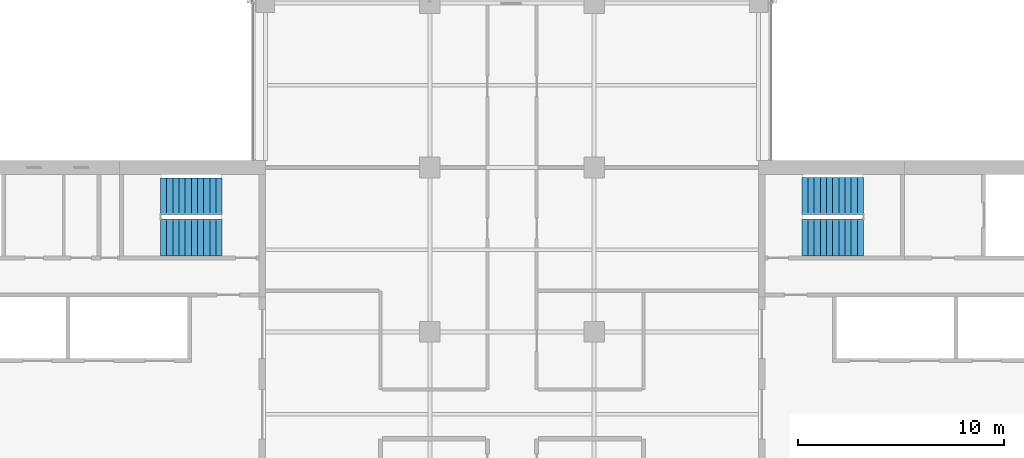
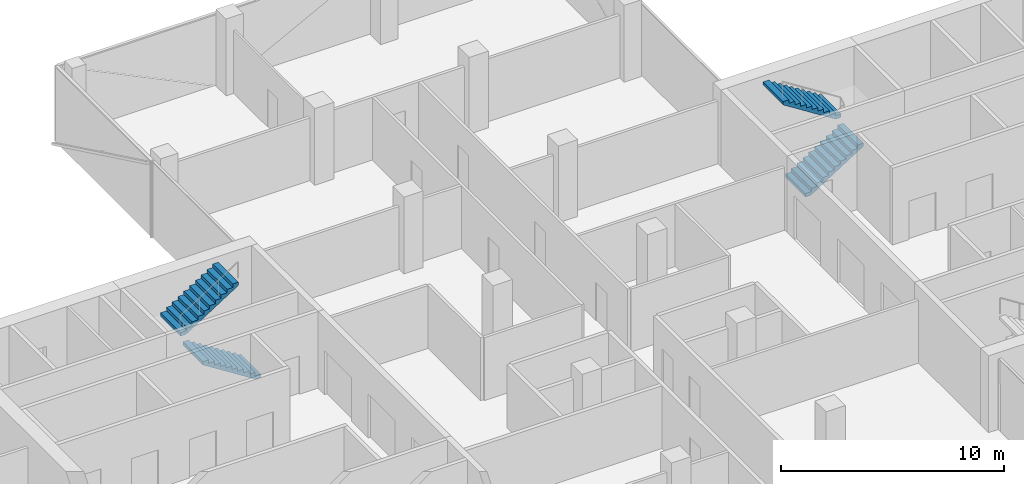
# One storey, part 17 of 22: 4 stair flights, 2 elements without a shape of their own.
"""IFC4 building model written with IfcOpenShell, lengths in metres."""

from ifc_helpers import new_model, si_unit, direction, frame, origin, place, context, subcontext, project, spatial, polyline, outline, extrude, material, type_object, element, aggregate, save


model = new_model("IFC4")

# Units and contexts
model_context = context("Model", 3, precision=1e-05, world=origin(), true_north=direction((0.0, 1.0)))
body_context = subcontext(model_context, "Body", "Model", "MODEL_VIEW")
ifc_project = project(units=[si_unit("LENGTHUNIT", "METRE"), si_unit("AREAUNIT", "SQUARE_METRE"), si_unit("VOLUMEUNIT", "CUBIC_METRE"), si_unit("PLANEANGLEUNIT", "RADIAN"), si_unit("MASSUNIT", "GRAM", prefix="KILO")], contexts=[model_context])

# Site, building, storey
site_placement = place(None, origin())
site = spatial("IfcSite", under=ifc_project, at=site_placement, CompositionType="ELEMENT")
building_placement = place(site_placement, origin())
building = spatial("IfcBuilding", under=site, at=building_placement, Name="Crosswind Convention Tower", CompositionType="ELEMENT")
storey_placement = place(building_placement, frame((0.0, 0.0, 154.699951171875)))
storey = spatial("IfcBuildingStorey", under=building, at=storey_placement, Name="L32", CompositionType="ELEMENT", Elevation=154.699951171875)

# Stair, stair flights
ifc_material = material(Name="Concrete C40/50", Category="concrete")
stair_type = type_object("IfcStairType", Name="Exit stair 1800 wide, 2 flights of 11 risers", PredefinedType="HALF_TURN_STAIR", material=ifc_material)
stair_1_placement = place(storey_placement, origin())
stair_1 = element("IfcStair", 1, at=stair_1_placement, inside=storey, type_object=stair_type, Name="Exit stair ST1 L32", ObjectType="ST5", PredefinedType="HALF_TURN_STAIR")
stair_flight_type = type_object("IfcStairFlightType", Name="Stair flight 1800 wide, 11 risers (SF4)", PredefinedType="STRAIGHT", material=ifc_material)
stair_flight_1_placement = place(storey_placement, frame((139.10009765625, 108.60009765625, 0.0), z_axis=(0.0, 0.0, 1.0), x_axis=(1.0, 0.0, 0.0)))
stair_flight_1 = element("IfcStairFlight", 2, at=stair_flight_1_placement, type_object=stair_flight_type, Name="ST1 flight 1", NumberOfRisers=11, NumberOfTreads=10, PredefinedType="STRAIGHT", RiserHeight=0.190909091, TreadLength=0.3, context=body_context, shape_type="SweptSolid", body=[
    extrude(outline(polyline([(0.0, 0.0), (0.0, 0.19091796875), (0.300048828125, 0.19091796875), (0.300048828125, 0.3818359375), (0.60009765625, 0.3818359375), (0.60009765625, 0.57275390625), (0.89990234375, 0.57275390625), (0.89990234375, 0.763671875), (1.199951171875, 0.763671875), (1.199951171875, 0.95458984375), (1.5, 0.95458984375), (1.5, 1.1455078125), (1.800048828125, 1.1455078125), (1.800048828125, 1.33642578125), (2.10009765625, 1.33642578125), (2.10009765625, 1.52734375), (2.39990234375, 1.52734375), (2.39990234375, 1.71826171875), (2.699951171875, 1.71826171875), (2.699951171875, 1.9091796875), (3.0, 1.9091796875), (3.0, 2.10009765625), (3.0, 1.7314453125), (0.279296875, 0.0), (0.0, 0.0)])), frame((0.0, 0.89990234375, 0.0), z_axis=(0.0, -1.0, 0.0), x_axis=(1.0, 0.0, 0.0)), (0.0, 0.0, 1.0), 1.800048828125),
])
stair_flight_2_placement = place(storey_placement, frame((142.10009765625, 110.60009765625, 2.10009765625), z_axis=(0.0, 0.0, 1.0), x_axis=(-1.0, 0.0, 0.0)))
stair_flight_2 = element("IfcStairFlight", 3, at=stair_flight_2_placement, type_object=stair_flight_type, Name="ST1 flight 2", NumberOfRisers=11, NumberOfTreads=10, PredefinedType="STRAIGHT", RiserHeight=0.190909091, TreadLength=0.3, context=body_context, shape_type="SweptSolid", body=[
    extrude(outline(polyline([(0.0, 0.0), (0.0, 0.19091796875), (0.300048828125, 0.19091796875), (0.300048828125, 0.3818359375), (0.60009765625, 0.3818359375), (0.60009765625, 0.57275390625), (0.89990234375, 0.57275390625), (0.89990234375, 0.763671875), (1.199951171875, 0.763671875), (1.199951171875, 0.95458984375), (1.5, 0.95458984375), (1.5, 1.1455078125), (1.800048828125, 1.1455078125), (1.800048828125, 1.33642578125), (2.10009765625, 1.33642578125), (2.10009765625, 1.52734375), (2.39990234375, 1.52734375), (2.39990234375, 1.71826171875), (2.699951171875, 1.71826171875), (2.699951171875, 1.9091796875), (3.0, 1.9091796875), (3.0, 2.10009765625), (3.0, 1.7314453125), (0.279296875, 0.0), (0.0, 0.0)])), frame((0.0, 0.89990234375, 0.0), z_axis=(0.0, -1.0, 0.0), x_axis=(1.0, 0.0, 0.0)), (0.0, 0.0, 1.0), 1.800048828125),
])
aggregate(stair_1, [stair_flight_1, stair_flight_2])

stair_2_placement = place(storey_placement, origin())
stair_2 = element("IfcStair", 4, at=stair_2_placement, inside=storey, type_object=stair_type, Name="Exit stair ST4 L32", ObjectType="ST5", PredefinedType="HALF_TURN_STAIR")
stair_flight_3_placement = place(storey_placement, frame((110.89990234375, 108.60009765625, 0.0), z_axis=(0.0, 0.0, 1.0), x_axis=(-1.0, 0.0, 0.0)))
stair_flight_3 = element("IfcStairFlight", 5, at=stair_flight_3_placement, type_object=stair_flight_type, Name="ST4 flight 1", NumberOfRisers=11, NumberOfTreads=10, PredefinedType="STRAIGHT", RiserHeight=0.190909091, TreadLength=0.3, context=body_context, shape_type="SweptSolid", body=[
    extrude(outline(polyline([(0.0, 0.0), (0.0, 0.19091796875), (0.300048828125, 0.19091796875), (0.300048828125, 0.3818359375), (0.60009765625, 0.3818359375), (0.60009765625, 0.57275390625), (0.89990234375, 0.57275390625), (0.89990234375, 0.763671875), (1.199951171875, 0.763671875), (1.199951171875, 0.95458984375), (1.5, 0.95458984375), (1.5, 1.1455078125), (1.800048828125, 1.1455078125), (1.800048828125, 1.33642578125), (2.10009765625, 1.33642578125), (2.10009765625, 1.52734375), (2.39990234375, 1.52734375), (2.39990234375, 1.71826171875), (2.699951171875, 1.71826171875), (2.699951171875, 1.9091796875), (3.0, 1.9091796875), (3.0, 2.10009765625), (3.0, 1.7314453125), (0.279296875, 0.0), (0.0, 0.0)])), frame((0.0, 0.89990234375, 0.0), z_axis=(0.0, -1.0, 0.0), x_axis=(1.0, 0.0, 0.0)), (0.0, 0.0, 1.0), 1.800048828125),
])
stair_flight_4_placement = place(storey_placement, frame((107.89990234375, 110.60009765625, 2.10009765625), z_axis=(0.0, 0.0, 1.0), x_axis=(1.0, 0.0, 0.0)))
stair_flight_4 = element("IfcStairFlight", 6, at=stair_flight_4_placement, type_object=stair_flight_type, Name="ST4 flight 2", NumberOfRisers=11, NumberOfTreads=10, PredefinedType="STRAIGHT", RiserHeight=0.190909091, TreadLength=0.3, context=body_context, shape_type="SweptSolid", body=[
    extrude(outline(polyline([(0.0, 0.0), (0.0, 0.19091796875), (0.300048828125, 0.19091796875), (0.300048828125, 0.3818359375), (0.60009765625, 0.3818359375), (0.60009765625, 0.57275390625), (0.89990234375, 0.57275390625), (0.89990234375, 0.763671875), (1.199951171875, 0.763671875), (1.199951171875, 0.95458984375), (1.5, 0.95458984375), (1.5, 1.1455078125), (1.800048828125, 1.1455078125), (1.800048828125, 1.33642578125), (2.10009765625, 1.33642578125), (2.10009765625, 1.52734375), (2.39990234375, 1.52734375), (2.39990234375, 1.71826171875), (2.699951171875, 1.71826171875), (2.699951171875, 1.9091796875), (3.0, 1.9091796875), (3.0, 2.10009765625), (3.0, 1.7314453125), (0.279296875, 0.0), (0.0, 0.0)])), frame((0.0, 0.89990234375, 0.0), z_axis=(0.0, -1.0, 0.0), x_axis=(1.0, 0.0, 0.0)), (0.0, 0.0, 1.0), 1.800048828125),
])
aggregate(stair_2, [stair_flight_3, stair_flight_4])

save(model, "model.ifc")
